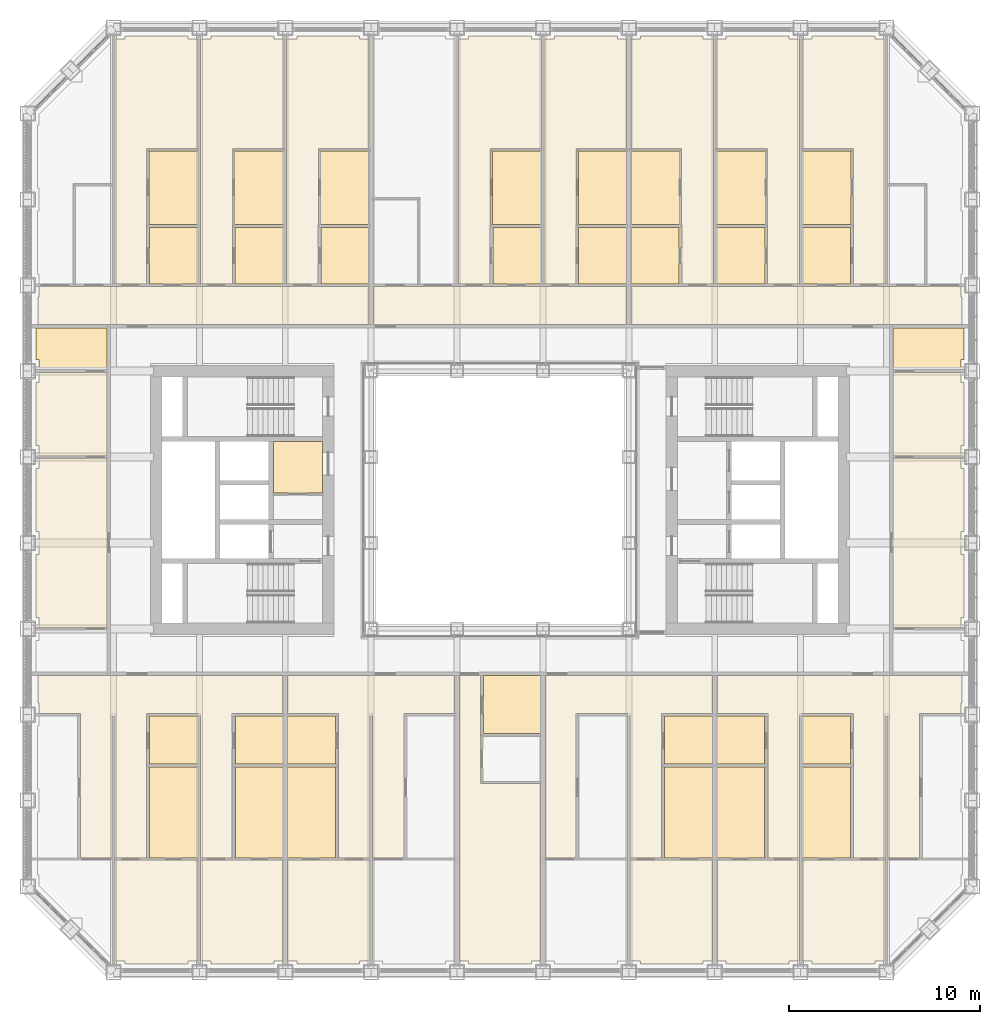
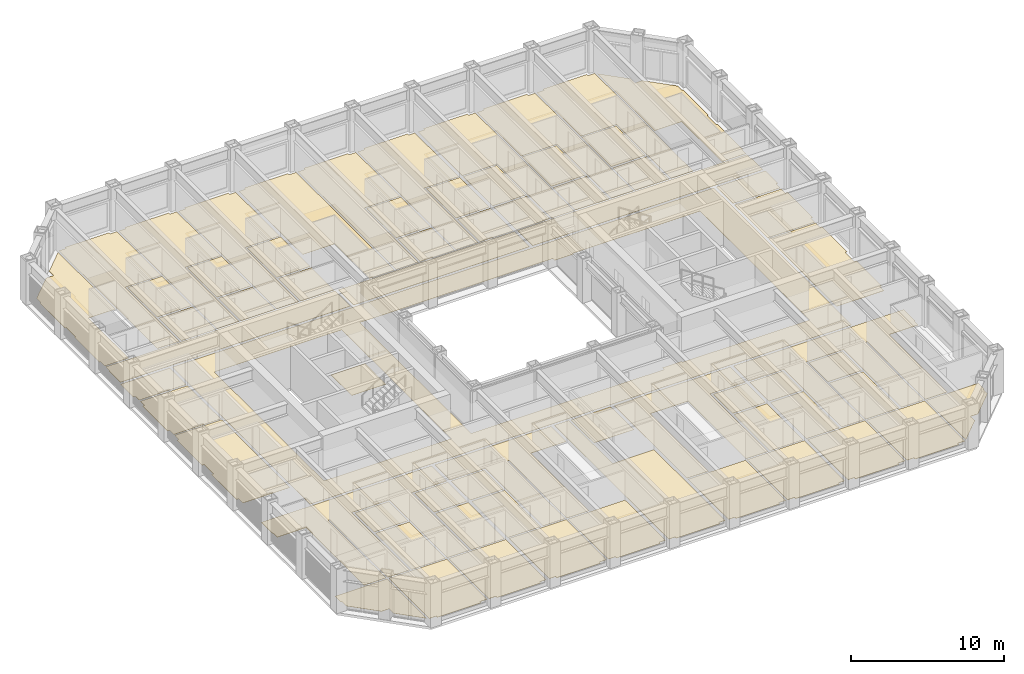
# One storey, part 19 of 21: 3 coverings.
"""IFC4 building model written with IfcOpenShell, lengths in metres."""

from ifc_helpers import new_model, si_unit, direction, frame, origin, place, context, subcontext, project, spatial, line, indexed_curve, outline, extrude, material, layer, layer_set, type_object, element, save


model = new_model("IFC4")

# Units and contexts
model_context = context("Model", 3, precision=1e-05, world=origin(), true_north=direction((0.0, 1.0)))
body_context = subcontext(model_context, "Body", "Model", "MODEL_VIEW")
ifc_project = project(units=[si_unit("LENGTHUNIT", "METRE"), si_unit("AREAUNIT", "SQUARE_METRE"), si_unit("VOLUMEUNIT", "CUBIC_METRE"), si_unit("PLANEANGLEUNIT", "RADIAN"), si_unit("MASSUNIT", "GRAM", prefix="KILO")], contexts=[model_context])

# Site, building, storey
site_placement = place(None, origin())
site = spatial("IfcSite", under=ifc_project, at=site_placement, CompositionType="ELEMENT")
building_placement = place(site_placement, origin())
building = spatial("IfcBuilding", under=site, at=building_placement, Name="Msasa Ring Tower", CompositionType="ELEMENT")
storey_placement = place(building_placement, frame((0.0, 0.0, 68.5)))
storey = spatial("IfcBuildingStorey", under=building, at=storey_placement, Name="L17", CompositionType="ELEMENT", Elevation=68.5)

# Coverings
ifc_material_1 = material(Name="Wool-blend carpet on felt underlay", Category="textile")
ifc_layer_1 = layer(ifc_material_1, 0.011962890625)
ifc_layer_set_1 = layer_set([ifc_layer_1], Name="F2 CARPET ON UNDERLAY 12")
covering_type_1 = type_object("IfcCoveringType", Name="F2 CARPET ON UNDERLAY 12", PredefinedType="FLOORING", material=ifc_layer_set_1)
covering_1_placement = place(storey_placement, origin())
element("IfcCovering", 1, at=covering_1_placement, inside=storey, type_object=covering_type_1, Name="Carpet On Underlay 12 L17", PredefinedType="FLOORING", context=body_context, shape_type="SweptSolid", body=[
    extrude(outline(indexed_curve([(-20.318115234375, -24.044921875), (-21.8994140625, -22.46337890625), (-21.8994140625, -21.8994140625), (-22.46337890625, -21.8994140625), (-24.1494140625, -20.21337890625), (-24.1494140625, -19.6494140625), (-24.23193359375, -19.6494140625), (-24.23193359375, -18.87548828125), (-20.318115234375, -18.87548828125)], segments=[line(1, 2, 3, 4, 5, 6, 7, 8, 9, 1)], self_intersect=False)), origin(), (0.0, 0.0, 1.0), 0.011962890625),
    extrude(outline(indexed_curve([(-22.46337890625, 21.8994140625), (-21.8994140625, 21.8994140625), (-21.8994140625, 22.46337890625), (-20.318115234375, 24.044921875), (-20.318115234375, 16.56298828125), (-22.3505859375, 16.56298828125), (-22.3505859375, 11.31298828125), (-24.1494140625, 11.31298828125), (-24.1494140625, 11.8505859375), (-24.23193359375, 11.8505859375), (-24.23193359375, 15.1494140625), (-24.1494140625, 15.1494140625), (-24.1494140625, 16.3505859375), (-24.23193359375, 16.3505859375), (-24.23193359375, 19.6494140625), (-24.1494140625, 19.6494140625), (-24.1494140625, 20.21337890625)], segments=[line(1, 2, 3, 4, 5, 6, 7, 8, 9, 10, 11, 12, 13, 14, 15, 16, 17, 1)], self_intersect=False)), origin(), (0.0, 0.0, 1.0), 0.011962890625),
    extrude(outline(indexed_curve([(-20.3994140625, -8.99951171875), (-20.3994140625, 8.99951171875), (20.3994140625, 8.99951171875), (20.3994140625, -8.99951171875)], segments=[line(1, 2, 3, 4, 1)], self_intersect=False), holes=[indexed_curve([(8.699462890625, -7.150390625), (18.300537109375, -7.150390625), (18.300537109375, 7.150390625), (8.699462890625, 7.150390625), (8.699462890625, 7.050537109375), (7.280029296875, 7.050537109375), (7.275390625, 7.275390625), (7.22998046875, 7.280029296875), (-7.275390625, 7.275390625), (-7.275390625, -7.275390625), (7.22998046875, -7.280029296875), (7.275390625, -7.275390625), (7.280029296875, -7.050537109375), (8.699462890625, -7.050537109375)], segments=[line(1, 2, 3, 4, 5, 6, 7, 8, 9, 10, 11, 12, 13, 14, 1)], self_intersect=False), indexed_curve([(-18.300537109375, 7.150390625), (-18.300537109375, -7.150390625), (-8.699462890625, -7.150390625), (-8.699462890625, 7.150390625)], segments=[line(1, 2, 3, 4, 1)], self_intersect=False)]), origin(), (0.0, 0.0, 1.0), 0.011962890625),
    extrude(outline(indexed_curve([(-18.3994140625, 14.430419921875), (-18.3994140625, 18.294921875), (-15.81298828125, 18.294921875), (-15.81298828125, 14.430419921875)], segments=[line(1, 2, 3, 4, 1)], self_intersect=False)), origin(), (0.0, 0.0, 1.0), 0.011962890625),
    extrude(outline(indexed_curve([(-15.818115234375, -13.992919921875), (-15.818115234375, -18.74951171875), (-18.369384765625, -18.74951171875), (-18.369384765625, -13.992919921875)], segments=[line(1, 2, 3, 4, 1)], self_intersect=False)), origin(), (0.0, 0.0, 1.0), 0.011962890625),
    extrude(outline(indexed_curve([(-11.31298828125, 18.297607421875), (-11.31298828125, 14.430419921875), (-13.8994140625, 14.430419921875), (-13.8994140625, 18.297607421875)], segments=[line(1, 2, 3, 4, 1)], self_intersect=False)), origin(), (0.0, 0.0, 1.0), 0.011962890625),
    extrude(outline(indexed_curve([(-13.869384765625, -13.992919921875), (-11.37548828125, -13.992919921875), (-11.37548828125, -18.74951171875), (-13.869384765625, -18.74951171875)], segments=[line(1, 2, 3, 4, 1)], self_intersect=False)), origin(), (0.0, 0.0, 1.0), 0.011962890625),
    extrude(outline(indexed_curve([(-9.300537109375, 0.35546875), (-11.87451171875, 0.35546875), (-11.87451171875, 3.074462890625), (-9.300537109375, 3.074462890625)], segments=[line(1, 2, 3, 4, 1)], self_intersect=False)), origin(), (0.0, 0.0, 1.0), 0.011962890625),
    extrude(outline(indexed_curve([(-8.630615234375, -18.74951171875), (-11.12451171875, -18.74951171875), (-11.12451171875, -13.992919921875), (-8.630615234375, -13.992919921875)], segments=[line(1, 2, 3, 4, 1)], self_intersect=False)), origin(), (0.0, 0.0, 1.0), 0.011962890625),
    extrude(outline(indexed_curve([(-9.3994140625, 14.430419921875), (-9.3994140625, 18.297607421875), (-6.87548828125, 18.297607421875), (-6.87548828125, 14.430419921875)], segments=[line(1, 2, 3, 4, 1)], self_intersect=False)), origin(), (0.0, 0.0, 1.0), 0.011962890625),
    extrude(outline(indexed_curve([(-6.1494140625, -24.299560546875), (-6.1494140625, -24.1494140625), (-6.681884765625, -24.1494140625), (-6.681884765625, -18.87548828125), (-2.37548828125, -18.87548828125), (-2.37548828125, -24.1494140625), (-2.8505859375, -24.1494140625), (-2.8505859375, -24.299560546875)], segments=[line(1, 2, 3, 4, 5, 6, 7, 8, 1)], self_intersect=False)), origin(), (0.0, 0.0, 1.0), 0.011962890625),
    extrude(outline(indexed_curve([(-2.318115234375, 11.31298828125), (-4.199462890625, 11.31298828125), (-4.199462890625, 15.843017578125), (-6.62451171875, 15.843017578125), (-6.62451171875, 24.1494140625), (-6.1494140625, 24.1494140625), (-6.1494140625, 24.299560546875), (-2.8505859375, 24.299560546875), (-2.8505859375, 24.1494140625), (-2.318115234375, 24.1494140625)], segments=[line(1, 2, 3, 4, 5, 6, 7, 8, 9, 10, 1)], self_intersect=False)), origin(), (0.0, 0.0, 1.0), 0.011962890625),
    extrude(outline(indexed_curve([(-0.3994140625, 14.430419921875), (-0.3994140625, 18.297607421875), (2.18701171875, 18.297607421875), (2.18701171875, 14.430419921875)], segments=[line(1, 2, 3, 4, 1)], self_intersect=False)), origin(), (0.0, 0.0, 1.0), 0.011962890625),
    extrude(outline(indexed_curve([(2.8505859375, -24.299560546875), (2.8505859375, -24.1494140625), (2.37548828125, -24.1494140625), (2.37548828125, -18.87548828125), (6.681884765625, -18.87548828125), (6.681884765625, -24.1494140625), (6.1494140625, -24.1494140625), (6.1494140625, -24.299560546875)], segments=[line(1, 2, 3, 4, 5, 6, 7, 8, 1)], self_intersect=False)), origin(), (0.0, 0.0, 1.0), 0.011962890625),
    extrude(outline(indexed_curve([(4.1005859375, 14.430419921875), (4.1005859375, 18.297607421875), (6.62451171875, 18.297607421875), (6.62451171875, 14.430419921875)], segments=[line(1, 2, 3, 4, 1)], self_intersect=False)), origin(), (0.0, 0.0, 1.0), 0.011962890625),
    extrude(outline(indexed_curve([(9.3994140625, 18.297607421875), (9.3994140625, 14.430419921875), (6.87548828125, 14.430419921875), (6.87548828125, 18.297607421875)], segments=[line(1, 2, 3, 4, 1)], self_intersect=False)), origin(), (0.0, 0.0, 1.0), 0.011962890625),
    extrude(outline(indexed_curve([(11.12451171875, -13.992919921875), (11.12451171875, -18.74951171875), (8.630615234375, -18.74951171875), (8.630615234375, -13.992919921875)], segments=[line(1, 2, 3, 4, 1)], self_intersect=False)), origin(), (0.0, 0.0, 1.0), 0.011962890625),
    extrude(outline(indexed_curve([(13.8994140625, 14.430419921875), (11.31298828125, 14.430419921875), (11.31298828125, 18.297607421875), (13.8994140625, 18.297607421875)], segments=[line(1, 2, 3, 4, 1)], self_intersect=False)), origin(), (0.0, 0.0, 1.0), 0.011962890625),
    extrude(outline(indexed_curve([(13.869384765625, -18.74951171875), (11.37548828125, -18.74951171875), (11.37548828125, -13.992919921875), (13.869384765625, -13.992919921875)], segments=[line(1, 2, 3, 4, 1)], self_intersect=False)), origin(), (0.0, 0.0, 1.0), 0.011962890625),
    extrude(outline(indexed_curve([(18.3994140625, 18.294921875), (18.3994140625, 14.430419921875), (15.81298828125, 14.430419921875), (15.81298828125, 18.294921875)], segments=[line(1, 2, 3, 4, 1)], self_intersect=False)), origin(), (0.0, 0.0, 1.0), 0.011962890625),
    extrude(outline(indexed_curve([(18.369384765625, -18.74951171875), (15.818115234375, -18.74951171875), (15.818115234375, -13.992919921875), (18.369384765625, -13.992919921875)], segments=[line(1, 2, 3, 4, 1)], self_intersect=False)), origin(), (0.0, 0.0, 1.0), 0.011962890625),
    extrude(outline(indexed_curve([(22.46337890625, -21.8994140625), (21.8994140625, -21.8994140625), (21.8994140625, -22.46337890625), (20.318115234375, -24.044921875), (20.318115234375, -18.87548828125), (24.23193359375, -18.87548828125), (24.23193359375, -19.6494140625), (24.1494140625, -19.6494140625), (24.1494140625, -20.21337890625)], segments=[line(1, 2, 3, 4, 5, 6, 7, 8, 9, 1)], self_intersect=False)), origin(), (0.0, 0.0, 1.0), 0.011962890625),
    extrude(outline(indexed_curve([(22.3505859375, 11.31298828125), (22.3505859375, 16.56298828125), (20.318115234375, 16.56298828125), (20.318115234375, 24.044921875), (21.8994140625, 22.46337890625), (21.8994140625, 21.8994140625), (22.46337890625, 21.8994140625), (24.1494140625, 20.21337890625), (24.1494140625, 19.6494140625), (24.23193359375, 19.6494140625), (24.23193359375, 16.3505859375), (24.1494140625, 16.3505859375), (24.1494140625, 15.1494140625), (24.23193359375, 15.1494140625), (24.23193359375, 11.8505859375), (24.1494140625, 11.8505859375), (24.1494140625, 11.31298828125)], segments=[line(1, 2, 3, 4, 5, 6, 7, 8, 9, 10, 11, 12, 13, 14, 15, 16, 17, 1)], self_intersect=False)), origin(), (0.0, 0.0, 1.0), 0.011962890625),
])
ifc_material_2 = material(Name="Engineered oak boards on an acoustic underlay", Category="wood")
ifc_layer_2 = layer(ifc_material_2, 0.01806640625)
ifc_layer_set_2 = layer_set([ifc_layer_2], Name="F3 ENGINEERED TIMBER ON ACOUSTIC UNDERLAY 18")
covering_type_2 = type_object("IfcCoveringType", Name="F3 ENGINEERED TIMBER ON ACOUSTIC UNDERLAY 18", PredefinedType="FLOORING", material=ifc_layer_set_2)
covering_2_placement = place(storey_placement, origin())
element("IfcCovering", 2, at=covering_2_placement, inside=storey, type_object=covering_type_2, Name="Engineered Timber On Acoustic Underlay 18 L17", PredefinedType="FLOORING", context=body_context, shape_type="SweptSolid", body=[
    extrude(outline(indexed_curve([(-24.1494140625, -6.694580078125), (-24.1494140625, -6.1494140625), (-24.299560546875, -6.1494140625), (-24.299560546875, -2.8505859375), (-24.1494140625, -2.8505859375), (-24.1494140625, -1.6494140625), (-24.299560546875, -1.6494140625), (-24.299560546875, 1.6494140625), (-24.1494140625, 1.6494140625), (-24.1494140625, 2.194580078125), (-20.6005859375, 2.194580078125), (-20.6005859375, -6.694580078125)], segments=[line(1, 2, 3, 4, 5, 6, 7, 8, 9, 10, 11, 12, 1)], self_intersect=False)), origin(), (0.0, 0.0, 1.0), 0.01806640625),
    extrude(outline(indexed_curve([(-24.299560546875, 6.1494140625), (-24.1494140625, 6.1494140625), (-24.1494140625, 6.66943359375), (-20.6005859375, 6.66943359375), (-20.6005859375, 2.305419921875), (-24.1494140625, 2.305419921875), (-24.1494140625, 2.8505859375), (-24.299560546875, 2.8505859375)], segments=[line(1, 2, 3, 4, 5, 6, 7, 8, 1)], self_intersect=False)), origin(), (0.0, 0.0, 1.0), 0.01806640625),
    extrude(outline(indexed_curve([(-20.181884765625, -11.18701171875), (-20.318115234375, -11.18701171875), (-20.318115234375, -18.74951171875), (-21.969482421875, -18.74951171875), (-21.969482421875, -11.18701171875), (-24.1494140625, -11.18701171875), (-24.1494140625, -10.6494140625), (-24.199462890625, -10.6494140625), (-24.199462890625, -9.200439453125), (-11.37548828125, -9.200439453125), (-11.37548828125, -11.18701171875), (-14.030517578125, -11.18701171875), (-14.030517578125, -18.74951171875), (-15.681884765625, -18.74951171875), (-15.681884765625, -11.18701171875), (-18.530517578125, -11.18701171875), (-18.530517578125, -18.74951171875), (-20.181884765625, -18.74951171875)], segments=[line(1, 2, 3, 4, 5, 6, 7, 8, 9, 10, 11, 12, 13, 14, 15, 16, 17, 18, 1)], self_intersect=False)), origin(), (0.0, 0.0, 1.0), 0.01806640625),
    extrude(outline(indexed_curve([(-24.199462890625, 9.200439453125), (-24.199462890625, 10.6494140625), (-24.1494140625, 10.6494140625), (-24.1494140625, 11.18701171875), (-6.87548828125, 11.18701171875), (-6.87548828125, 9.200439453125)], segments=[line(1, 2, 3, 4, 5, 6, 1)], self_intersect=False)), origin(), (0.0, 0.0, 1.0), 0.01806640625),
    extrude(outline(indexed_curve([(-15.818115234375, -24.1494140625), (-16.3505859375, -24.1494140625), (-16.3505859375, -24.299560546875), (-19.6494140625, -24.299560546875), (-19.6494140625, -24.1494140625), (-20.181884765625, -24.1494140625), (-20.181884765625, -18.87548828125), (-15.818115234375, -18.87548828125)], segments=[line(1, 2, 3, 4, 5, 6, 7, 8, 1)], self_intersect=False)), origin(), (0.0, 0.0, 1.0), 0.01806640625),
    extrude(outline(indexed_curve([(-20.181884765625, 24.1494140625), (-19.6494140625, 24.1494140625), (-19.6494140625, 24.299560546875), (-16.3505859375, 24.299560546875), (-16.3505859375, 24.1494140625), (-15.818115234375, 24.1494140625), (-15.818115234375, 18.40087890625), (-18.50048828125, 18.40087890625), (-18.50048828125, 14.39990234375), (-18.525390625, 14.39990234375), (-18.525390625, 11.31298828125), (-20.181884765625, 11.31298828125)], segments=[line(1, 2, 3, 4, 5, 6, 7, 8, 9, 10, 11, 12, 1)], self_intersect=False)), origin(), (0.0, 0.0, 1.0), 0.01806640625),
    extrude(outline(indexed_curve([(-15.1494140625, -24.299560546875), (-15.1494140625, -24.1494140625), (-15.681884765625, -24.1494140625), (-15.681884765625, -18.87548828125), (-11.37548828125, -18.87548828125), (-11.37548828125, -24.1494140625), (-11.8505859375, -24.1494140625), (-11.8505859375, -24.299560546875)], segments=[line(1, 2, 3, 4, 5, 6, 7, 8, 1)], self_intersect=False)), origin(), (0.0, 0.0, 1.0), 0.01806640625),
    extrude(outline(indexed_curve([(-11.8505859375, 24.299560546875), (-11.8505859375, 24.1494140625), (-11.318115234375, 24.1494140625), (-11.318115234375, 18.403564453125), (-14.00048828125, 18.403564453125), (-14.00048828125, 14.39990234375), (-14.025390625, 14.39990234375), (-14.025390625, 11.31298828125), (-15.681884765625, 11.31298828125), (-15.681884765625, 24.1494140625), (-15.1494140625, 24.1494140625), (-15.1494140625, 24.299560546875)], segments=[line(1, 2, 3, 4, 5, 6, 7, 8, 9, 10, 11, 12, 1)], self_intersect=False)), origin(), (0.0, 0.0, 1.0), 0.01806640625),
    extrude(outline(indexed_curve([(-7.3505859375, 24.299560546875), (-7.3505859375, 24.1494140625), (-6.87548828125, 24.1494140625), (-6.87548828125, 18.403564453125), (-9.50048828125, 18.403564453125), (-9.50048828125, 14.39990234375), (-9.525390625, 14.39990234375), (-9.525390625, 11.31298828125), (-11.181884765625, 11.31298828125), (-11.181884765625, 24.1494140625), (-10.6494140625, 24.1494140625), (-10.6494140625, 24.299560546875)], segments=[line(1, 2, 3, 4, 5, 6, 7, 8, 9, 10, 11, 12, 1)], self_intersect=False)), origin(), (0.0, 0.0, 1.0), 0.01806640625),
    extrude(outline(indexed_curve([(-10.6494140625, -24.299560546875), (-10.6494140625, -24.1494140625), (-11.12451171875, -24.1494140625), (-11.12451171875, -18.87548828125), (-6.818115234375, -18.87548828125), (-6.818115234375, -24.1494140625), (-7.3505859375, -24.1494140625), (-7.3505859375, -24.299560546875)], segments=[line(1, 2, 3, 4, 5, 6, 7, 8, 1)], self_intersect=False)), origin(), (0.0, 0.0, 1.0), 0.01806640625),
    extrude(outline(indexed_curve([(-6.818115234375, -18.74951171875), (-8.469482421875, -18.74951171875), (-8.469482421875, -11.18701171875), (-11.12451171875, -11.18701171875), (-11.12451171875, -9.200439453125), (-2.37548828125, -9.200439453125), (-2.37548828125, -11.18701171875), (-5.030517578125, -11.18701171875), (-5.030517578125, -18.74951171875), (-6.681884765625, -18.74951171875), (-6.681884765625, -11.18701171875), (-6.818115234375, -11.18701171875)], segments=[line(1, 2, 3, 4, 5, 6, 7, 8, 9, 10, 11, 12, 1)], self_intersect=False)), origin(), (0.0, 0.0, 1.0), 0.01806640625),
    extrude(outline(indexed_curve([(-6.62451171875, 9.200439453125), (-6.62451171875, 11.18701171875), (6.62451171875, 11.18701171875), (6.62451171875, 9.200439453125)], segments=[line(1, 2, 3, 4, 1)], self_intersect=False)), origin(), (0.0, 0.0, 1.0), 0.01806640625),
    extrude(outline(indexed_curve([(1.6494140625, 24.299560546875), (1.6494140625, 24.1494140625), (2.181884765625, 24.1494140625), (2.181884765625, 18.403564453125), (-0.50048828125, 18.403564453125), (-0.50048828125, 14.39990234375), (-0.525390625, 14.39990234375), (-0.525390625, 11.31298828125), (-2.181884765625, 11.31298828125), (-2.181884765625, 24.1494140625), (-1.6494140625, 24.1494140625), (-1.6494140625, 24.299560546875)], segments=[line(1, 2, 3, 4, 5, 6, 7, 8, 9, 10, 11, 12, 1)], self_intersect=False)), origin(), (0.0, 0.0, 1.0), 0.01806640625),
    extrude(outline(indexed_curve([(-1.025390625, -9.200439453125), (-1.025390625, -12.35009765625), (-1.00048828125, -12.35009765625), (-1.00048828125, -14.8505859375), (2.12451171875, -14.8505859375), (2.12451171875, -24.1494140625), (1.6494140625, -24.1494140625), (1.6494140625, -24.299560546875), (-1.6494140625, -24.299560546875), (-1.6494140625, -24.1494140625), (-2.12451171875, -24.1494140625), (-2.12451171875, -9.200439453125)], segments=[line(1, 2, 3, 4, 5, 6, 7, 8, 9, 10, 11, 12, 1)], self_intersect=False)), origin(), (0.0, 0.0, 1.0), 0.01806640625),
    extrude(outline(indexed_curve([(6.1494140625, 24.299560546875), (6.1494140625, 24.1494140625), (6.62451171875, 24.1494140625), (6.62451171875, 18.403564453125), (3.99951171875, 18.403564453125), (3.99951171875, 14.39990234375), (3.974609375, 14.39990234375), (3.974609375, 11.31298828125), (2.318115234375, 11.31298828125), (2.318115234375, 24.1494140625), (2.8505859375, 24.1494140625), (2.8505859375, 24.299560546875)], segments=[line(1, 2, 3, 4, 5, 6, 7, 8, 9, 10, 11, 12, 1)], self_intersect=False)), origin(), (0.0, 0.0, 1.0), 0.01806640625),
    extrude(outline(indexed_curve([(3.969482421875, -18.74951171875), (2.37548828125, -18.74951171875), (2.37548828125, -9.200439453125), (11.12451171875, -9.200439453125), (11.12451171875, -11.18701171875), (8.469482421875, -11.18701171875), (8.469482421875, -18.74951171875), (6.818115234375, -18.74951171875), (6.818115234375, -11.18701171875), (3.969482421875, -11.18701171875)], segments=[line(1, 2, 3, 4, 5, 6, 7, 8, 9, 10, 1)], self_intersect=False)), origin(), (0.0, 0.0, 1.0), 0.01806640625),
    extrude(outline(indexed_curve([(7.3505859375, -24.299560546875), (7.3505859375, -24.1494140625), (6.818115234375, -24.1494140625), (6.818115234375, -18.87548828125), (11.12451171875, -18.87548828125), (11.12451171875, -24.1494140625), (10.6494140625, -24.1494140625), (10.6494140625, -24.299560546875)], segments=[line(1, 2, 3, 4, 5, 6, 7, 8, 1)], self_intersect=False)), origin(), (0.0, 0.0, 1.0), 0.01806640625),
    extrude(outline(indexed_curve([(24.199462890625, 9.200439453125), (6.87548828125, 9.200439453125), (6.87548828125, 11.18701171875), (24.1494140625, 11.18701171875), (24.1494140625, 10.6494140625), (24.199462890625, 10.6494140625)], segments=[line(1, 2, 3, 4, 5, 6, 1)], self_intersect=False)), origin(), (0.0, 0.0, 1.0), 0.01806640625),
    extrude(outline(indexed_curve([(9.525390625, 11.31298828125), (9.525390625, 14.39990234375), (9.50048828125, 14.39990234375), (9.50048828125, 18.403564453125), (6.87548828125, 18.403564453125), (6.87548828125, 24.1494140625), (7.3505859375, 24.1494140625), (7.3505859375, 24.299560546875), (10.6494140625, 24.299560546875), (10.6494140625, 24.1494140625), (11.181884765625, 24.1494140625), (11.181884765625, 11.31298828125)], segments=[line(1, 2, 3, 4, 5, 6, 7, 8, 9, 10, 11, 12, 1)], self_intersect=False)), origin(), (0.0, 0.0, 1.0), 0.01806640625),
    extrude(outline(indexed_curve([(14.025390625, 11.31298828125), (14.025390625, 14.39990234375), (14.00048828125, 14.39990234375), (14.00048828125, 18.403564453125), (11.318115234375, 18.403564453125), (11.318115234375, 24.1494140625), (11.8505859375, 24.1494140625), (11.8505859375, 24.299560546875), (15.1494140625, 24.299560546875), (15.1494140625, 24.1494140625), (15.681884765625, 24.1494140625), (15.681884765625, 11.31298828125)], segments=[line(1, 2, 3, 4, 5, 6, 7, 8, 9, 10, 11, 12, 1)], self_intersect=False)), origin(), (0.0, 0.0, 1.0), 0.01806640625),
    extrude(outline(indexed_curve([(11.8505859375, -24.299560546875), (11.8505859375, -24.1494140625), (11.37548828125, -24.1494140625), (11.37548828125, -18.87548828125), (15.681884765625, -18.87548828125), (15.681884765625, -24.1494140625), (15.1494140625, -24.1494140625), (15.1494140625, -24.299560546875)], segments=[line(1, 2, 3, 4, 5, 6, 7, 8, 1)], self_intersect=False)), origin(), (0.0, 0.0, 1.0), 0.01806640625),
    extrude(outline(indexed_curve([(18.530517578125, -11.18701171875), (15.681884765625, -11.18701171875), (15.681884765625, -18.74951171875), (14.030517578125, -18.74951171875), (14.030517578125, -11.18701171875), (11.37548828125, -11.18701171875), (11.37548828125, -9.200439453125), (24.199462890625, -9.200439453125), (24.199462890625, -10.6494140625), (24.1494140625, -10.6494140625), (24.1494140625, -11.18701171875), (21.969482421875, -11.18701171875), (21.969482421875, -18.74951171875), (20.318115234375, -18.74951171875), (20.318115234375, -11.18701171875), (20.181884765625, -11.18701171875), (20.181884765625, -18.74951171875), (18.530517578125, -18.74951171875)], segments=[line(1, 2, 3, 4, 5, 6, 7, 8, 9, 10, 11, 12, 13, 14, 15, 16, 17, 18, 1)], self_intersect=False)), origin(), (0.0, 0.0, 1.0), 0.01806640625),
    extrude(outline(indexed_curve([(20.181884765625, -24.1494140625), (19.6494140625, -24.1494140625), (19.6494140625, -24.299560546875), (16.3505859375, -24.299560546875), (16.3505859375, -24.1494140625), (15.818115234375, -24.1494140625), (15.818115234375, -18.87548828125), (20.181884765625, -18.87548828125)], segments=[line(1, 2, 3, 4, 5, 6, 7, 8, 1)], self_intersect=False)), origin(), (0.0, 0.0, 1.0), 0.01806640625),
    extrude(outline(indexed_curve([(20.181884765625, 11.31298828125), (18.525390625, 11.31298828125), (18.525390625, 14.39990234375), (18.50048828125, 14.39990234375), (18.50048828125, 18.40087890625), (15.818115234375, 18.40087890625), (15.818115234375, 24.1494140625), (16.3505859375, 24.1494140625), (16.3505859375, 24.299560546875), (19.6494140625, 24.299560546875), (19.6494140625, 24.1494140625), (20.181884765625, 24.1494140625)], segments=[line(1, 2, 3, 4, 5, 6, 7, 8, 9, 10, 11, 12, 1)], self_intersect=False)), origin(), (0.0, 0.0, 1.0), 0.01806640625),
    extrude(outline(indexed_curve([(24.1494140625, 2.194580078125), (24.1494140625, 1.6494140625), (24.299560546875, 1.6494140625), (24.299560546875, -1.6494140625), (24.1494140625, -1.6494140625), (24.1494140625, -2.8505859375), (24.299560546875, -2.8505859375), (24.299560546875, -6.1494140625), (24.1494140625, -6.1494140625), (24.1494140625, -6.694580078125), (20.6005859375, -6.694580078125), (20.6005859375, 2.194580078125)], segments=[line(1, 2, 3, 4, 5, 6, 7, 8, 9, 10, 11, 12, 1)], self_intersect=False)), origin(), (0.0, 0.0, 1.0), 0.01806640625),
    extrude(outline(indexed_curve([(20.6005859375, 6.66943359375), (24.1494140625, 6.66943359375), (24.1494140625, 6.1494140625), (24.299560546875, 6.1494140625), (24.299560546875, 2.8505859375), (24.1494140625, 2.8505859375), (24.1494140625, 2.305419921875), (20.6005859375, 2.305419921875)], segments=[line(1, 2, 3, 4, 5, 6, 7, 8, 1)], self_intersect=False)), origin(), (0.0, 0.0, 1.0), 0.01806640625),
])
ifc_material_3 = material(Name="Porcelain floor tiles in adhesive", Category="ceramic")
ifc_layer_3 = layer(ifc_material_3, 0.010009765625)
ifc_layer_set_3 = layer_set([ifc_layer_3], Name="F4 PORCELAIN TILE ON ADHESIVE 10")
covering_type_3 = type_object("IfcCoveringType", Name="F4 PORCELAIN TILE ON ADHESIVE 10", PredefinedType="FLOORING", material=ifc_layer_set_3)
covering_3_placement = place(storey_placement, origin())
element("IfcCovering", 3, at=covering_3_placement, inside=storey, type_object=covering_type_3, Name="Porcelain Tile On Adhesive 10 L17", PredefinedType="FLOORING", context=body_context, shape_type="SweptSolid", body=[
    extrude(outline(indexed_curve([(-24.1494140625, 6.83056640625), (-24.1494140625, 7.3505859375), (-24.299560546875, 7.3505859375), (-24.299560546875, 8.99951171875), (-20.6005859375, 8.99951171875), (-20.6005859375, 6.83056640625)], segments=[line(1, 2, 3, 4, 5, 6, 1)], self_intersect=False)), origin(), (0.0, 0.0, 1.0), 0.010009765625),
    extrude(outline(indexed_curve([(-18.37451171875, 11.31298828125), (-18.37451171875, 14.2744140625), (-15.81298828125, 14.2744140625), (-15.81298828125, 11.31298828125)], segments=[line(1, 2, 3, 4, 1)], self_intersect=False)), origin(), (0.0, 0.0, 1.0), 0.010009765625),
    extrude(outline(indexed_curve([(-15.818115234375, -11.318115234375), (-15.818115234375, -13.83203125), (-18.369384765625, -13.83203125), (-18.369384765625, -11.318115234375)], segments=[line(1, 2, 3, 4, 1)], self_intersect=False)), origin(), (0.0, 0.0, 1.0), 0.010009765625),
    extrude(outline(indexed_curve([(-13.87451171875, 11.31298828125), (-13.87451171875, 14.2744140625), (-11.31298828125, 14.2744140625), (-11.31298828125, 11.31298828125)], segments=[line(1, 2, 3, 4, 1)], self_intersect=False)), origin(), (0.0, 0.0, 1.0), 0.010009765625),
    extrude(outline(indexed_curve([(-11.37548828125, -11.318115234375), (-11.37548828125, -13.83203125), (-13.869384765625, -13.83203125), (-13.869384765625, -11.318115234375)], segments=[line(1, 2, 3, 4, 1)], self_intersect=False)), origin(), (0.0, 0.0, 1.0), 0.010009765625),
    extrude(outline(indexed_curve([(-8.630615234375, -11.318115234375), (-8.630615234375, -13.83203125), (-11.12451171875, -13.83203125), (-11.12451171875, -11.318115234375)], segments=[line(1, 2, 3, 4, 1)], self_intersect=False)), origin(), (0.0, 0.0, 1.0), 0.010009765625),
    extrude(outline(indexed_curve([(-9.37451171875, 11.31298828125), (-9.37451171875, 14.2744140625), (-6.87548828125, 14.2744140625), (-6.87548828125, 11.31298828125)], segments=[line(1, 2, 3, 4, 1)], self_intersect=False)), origin(), (0.0, 0.0, 1.0), 0.010009765625),
    extrude(outline(indexed_curve([(2.12451171875, -9.200439453125), (2.12451171875, -12.224609375), (-0.87451171875, -12.224609375), (-0.87451171875, -9.200439453125)], segments=[line(1, 2, 3, 4, 1)], self_intersect=False)), origin(), (0.0, 0.0, 1.0), 0.010009765625),
    extrude(outline(indexed_curve([(-0.37451171875, 11.31298828125), (-0.37451171875, 14.2744140625), (2.18701171875, 14.2744140625), (2.18701171875, 11.31298828125)], segments=[line(1, 2, 3, 4, 1)], self_intersect=False)), origin(), (0.0, 0.0, 1.0), 0.010009765625),
    extrude(outline(indexed_curve([(4.12548828125, 11.31298828125), (4.12548828125, 14.2744140625), (6.62451171875, 14.2744140625), (6.62451171875, 11.31298828125)], segments=[line(1, 2, 3, 4, 1)], self_intersect=False)), origin(), (0.0, 0.0, 1.0), 0.010009765625),
    extrude(outline(indexed_curve([(6.87548828125, 11.31298828125), (6.87548828125, 14.2744140625), (9.37451171875, 14.2744140625), (9.37451171875, 11.31298828125)], segments=[line(1, 2, 3, 4, 1)], self_intersect=False)), origin(), (0.0, 0.0, 1.0), 0.010009765625),
    extrude(outline(indexed_curve([(11.12451171875, -11.318115234375), (11.12451171875, -13.83203125), (8.630615234375, -13.83203125), (8.630615234375, -11.318115234375)], segments=[line(1, 2, 3, 4, 1)], self_intersect=False)), origin(), (0.0, 0.0, 1.0), 0.010009765625),
    extrude(outline(indexed_curve([(11.31298828125, 11.31298828125), (11.31298828125, 14.2744140625), (13.87451171875, 14.2744140625), (13.87451171875, 11.31298828125)], segments=[line(1, 2, 3, 4, 1)], self_intersect=False)), origin(), (0.0, 0.0, 1.0), 0.010009765625),
    extrude(outline(indexed_curve([(13.869384765625, -11.318115234375), (13.869384765625, -13.83203125), (11.37548828125, -13.83203125), (11.37548828125, -11.318115234375)], segments=[line(1, 2, 3, 4, 1)], self_intersect=False)), origin(), (0.0, 0.0, 1.0), 0.010009765625),
    extrude(outline(indexed_curve([(15.81298828125, 11.31298828125), (15.81298828125, 14.2744140625), (18.37451171875, 14.2744140625), (18.37451171875, 11.31298828125)], segments=[line(1, 2, 3, 4, 1)], self_intersect=False)), origin(), (0.0, 0.0, 1.0), 0.010009765625),
    extrude(outline(indexed_curve([(18.369384765625, -11.318115234375), (18.369384765625, -13.83203125), (15.818115234375, -13.83203125), (15.818115234375, -11.318115234375)], segments=[line(1, 2, 3, 4, 1)], self_intersect=False)), origin(), (0.0, 0.0, 1.0), 0.010009765625),
    extrude(outline(indexed_curve([(20.6005859375, 8.99951171875), (24.299560546875, 8.99951171875), (24.299560546875, 7.3505859375), (24.1494140625, 7.3505859375), (24.1494140625, 6.83056640625), (20.6005859375, 6.83056640625)], segments=[line(1, 2, 3, 4, 5, 6, 1)], self_intersect=False)), origin(), (0.0, 0.0, 1.0), 0.010009765625),
])

save(model, "model.ifc")
